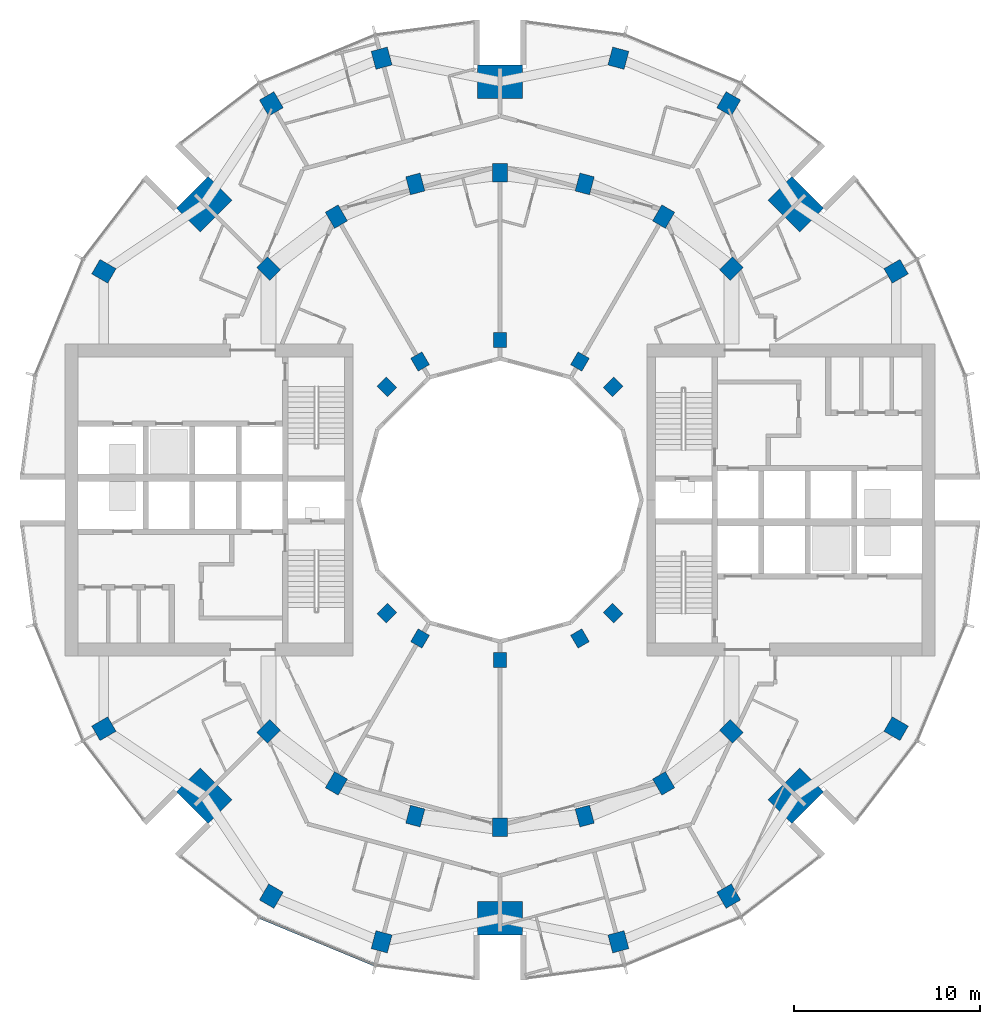
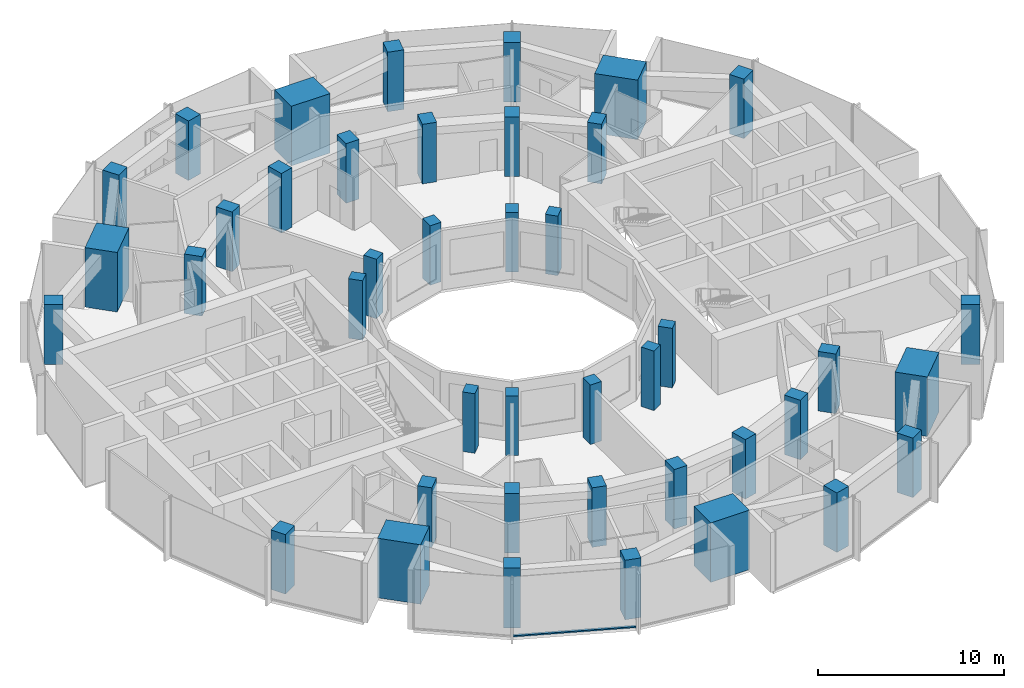
# One storey, part 1 of 15: 42 columns, 1 member, 1 element without a shape of its own.
"""IFC4 building model written with IfcOpenShell, lengths in metres."""

from ifc_helpers import new_model, si_unit, direction, frame, origin, origin_2d, place, context, subcontext, project, spatial, rectangle, extrude, material, layer, layer_set, material_profile, profile_set, type_object, element, aggregate, save


model = new_model("IFC4")

# Units and contexts
model_context = context("Model", 3, precision=1e-05, world=origin(), true_north=direction((0.0, 1.0)))
body_context = subcontext(model_context, "Body", "Model", "MODEL_VIEW")
ifc_project = project(units=[si_unit("LENGTHUNIT", "METRE"), si_unit("AREAUNIT", "SQUARE_METRE"), si_unit("VOLUMEUNIT", "CUBIC_METRE"), si_unit("PLANEANGLEUNIT", "RADIAN"), si_unit("MASSUNIT", "GRAM", prefix="KILO")], contexts=[model_context])

# Site, building, storey
site_placement = place(None, origin())
site = spatial("IfcSite", under=ifc_project, at=site_placement, CompositionType="ELEMENT")
building_placement = place(site_placement, origin())
building = spatial("IfcBuilding", under=site, at=building_placement, Name="Torre Brocal", CompositionType="ELEMENT")
storey_placement = place(building_placement, frame((0.0, 0.0, 126.300048828125)))
storey = spatial("IfcBuildingStorey", under=building, at=storey_placement, Name="L29", CompositionType="ELEMENT", Elevation=126.300048828125)

# Columns
ifc_material_1 = material(Name="Concrete C70", Category="concrete")
ifc_material_profile_1 = material_profile(ifc_material_1, rectangle(XDim=1.0, YDim=0.800048828125, at=origin_2d()), Name="RC 1000X800")
ifc_profile_set_1 = profile_set([ifc_material_profile_1], Name="Concrete C70")
column_type_1 = type_object("IfcColumnType", Name="RC COLUMN 1000X800 C70", PredefinedType="COLUMN", material=ifc_profile_set_1)
for number, where, z_axis, x_axis, name in (
    (1, (92.445068359375, 87.445068359375, 0.0), (0.0, 0.0, 1.0), (0.707106781187, 0.707106781187, 0.0), "Column C-M03"),
    (2, (88.800048828125, 90.241943359375, 0.0), (0.0, 0.0, 1.0), (0.5, 0.866025403784, 0.0), "Column C-M04"),
    (3, (84.55517578125, 92.000244140625, 0.0), (0.0, 0.0, 1.0), (0.258819045103, 0.965925826289, 0.0), "Column C-M05"),
    (4, (80.0, 92.60009765625, 0.0), (0.0, 0.0, 1.0), (0.0, 1.0, 0.0), "Column C-M06"),
    (5, (75.44482421875, 92.000244140625, 0.0), (0.0, 0.0, 1.0), (-0.258819045103, 0.965925826289, 0.0), "Column C-M07"),
    (6, (71.199951171875, 90.241943359375, 0.0), (0.0, 0.0, 1.0), (-0.5, 0.866025403784, 0.0), "Column C-M08"),
    (7, (67.554931640625, 87.445068359375, 0.0), (0.0, 0.0, 1.0), (-0.707106781187, 0.707106781187, 0.0), "Column C-M09"),
    (8, (67.554931640625, 62.554931640625, 0.0), (0.0, 0.0, 1.0), (-0.707106781187, -0.707106781187, 0.0), "Column C-M15"),
    (9, (71.199951171875, 59.758056640625, 0.0), (0.0, 0.0, 1.0), (-0.5, -0.866025403784, 0.0), "Column C-M16"),
    (10, (75.44482421875, 57.999755859375, 0.0), (0.0, 0.0, 1.0), (-0.258819045103, -0.965925826289, 0.0), "Column C-M17"),
    (11, (80.0, 57.39990234375, 0.0), (0.0, 0.0, 1.0), (0.0, -1.0, 0.0), "Column C-M18"),
    (12, (84.55517578125, 57.999755859375, 0.0), (0.0, 0.0, 1.0), (0.258819045103, -0.965925826289, 0.0), "Column C-M19"),
    (13, (88.800048828125, 59.758056640625, 0.0), (0.0, 0.0, 1.0), (0.5, -0.866025403784, 0.0), "Column C-M20"),
    (14, (92.445068359375, 62.554931640625, 0.0), (0.0, 0.0, 1.0), (0.707106781187, -0.707106781187, 0.0), "Column C-M21"),
):
    element("IfcColumn", number, at=place(storey_placement, frame(where, z_axis=z_axis, x_axis=x_axis)), inside=storey, type_object=column_type_1, Name=name, PredefinedType="COLUMN", context=body_context, shape_type="SweptSolid", body=[
        extrude(rectangle(XDim=1.0, YDim=0.800048828125, at=origin_2d()), origin(), (0.0, 0.0, 1.0), 3.89990234375),
    ])
ifc_material_2 = material(Name="Concrete C70", Category="concrete")
ifc_material_profile_2 = material_profile(ifc_material_2, rectangle(XDim=1.0, YDim=0.89990234375, at=origin_2d()), Name="RC 1000X900")
ifc_profile_set_2 = profile_set([ifc_material_profile_2], Name="Concrete C70")
column_type_2 = type_object("IfcColumnType", Name="RC COLUMN 1000X900 C70", PredefinedType="COLUMN", material=ifc_profile_set_2)
for number, where, z_axis, x_axis, name in (
    (15, (101.30419921875, 87.300048828125, 0.0), (0.0, 0.0, 1.0), (0.866025403784, 0.5, 0.0), "Column C-O02"),
    (16, (92.300048828125, 96.30419921875, 0.0), (0.0, 0.0, 1.0), (0.5, 0.866025403784, 0.0), "Column C-O04"),
    (17, (86.366943359375, 98.76171875, 0.0), (0.0, 0.0, 1.0), (0.258819045103, 0.965925826289, 0.0), "Column C-O05"),
    (18, (73.633056640625, 98.76171875, 0.0), (0.0, 0.0, 1.0), (-0.258819045103, 0.965925826289, 0.0), "Column C-O07"),
    (19, (67.699951171875, 96.30419921875, 0.0), (0.0, 0.0, 1.0), (-0.5, 0.866025403784, 0.0), "Column C-O08"),
    (20, (58.69580078125, 87.300048828125, 0.0), (0.0, 0.0, 1.0), (-0.866025403784, 0.5, 0.0), "Column C-O10"),
    (21, (58.69580078125, 62.699951171875, 0.0), (0.0, 0.0, 1.0), (-0.866025403784, -0.5, 0.0), "Column C-O14"),
    (22, (67.699951171875, 53.69580078125, 0.0), (0.0, 0.0, 1.0), (-0.5, -0.866025403784, 0.0), "Column C-O16"),
    (23, (73.633056640625, 51.23828125, 0.0), (0.0, 0.0, 1.0), (-0.258819045103, -0.965925826289, 0.0), "Column C-O17"),
    (24, (86.366943359375, 51.23828125, 0.0), (0.0, 0.0, 1.0), (0.258819045103, -0.965925826289, 0.0), "Column C-O19"),
    (25, (92.300048828125, 53.69580078125, 0.0), (0.0, 0.0, 1.0), (0.5, -0.866025403784, 0.0), "Column C-O20"),
    (26, (101.30419921875, 62.699951171875, 0.0), (0.0, 0.0, 1.0), (0.866025403784, -0.5, 0.0), "Column C-O22"),
):
    element("IfcColumn", number, at=place(storey_placement, frame(where, z_axis=z_axis, x_axis=x_axis)), inside=storey, type_object=column_type_2, Name=name, PredefinedType="COLUMN", context=body_context, shape_type="SweptSolid", body=[
        extrude(rectangle(XDim=1.0, YDim=0.89990234375, at=origin_2d()), origin(), (0.0, 0.0, 1.0), 3.89990234375),
    ])
ifc_material_3 = material(Name="Concrete C70", Category="concrete")
ifc_material_profile_3 = material_profile(ifc_material_3, rectangle(XDim=1.800048828125, YDim=2.39990234375, at=origin_2d()), Name="RC 1800X2400")
ifc_profile_set_3 = profile_set([ifc_material_profile_3], Name="Concrete C70")
column_type_3 = type_object("IfcColumnType", Name="RC COLUMN 1800X2400 C70", PredefinedType="COLUMN", material=ifc_profile_set_3)
for number, where, z_axis, x_axis, name in (
    (27, (95.909912109375, 90.909912109375, 0.0), (0.0, 0.0, 1.0), (0.707106781187, 0.707106781187, 0.0), "Column MC-1"),
    (28, (80.0, 97.5, 0.0), (0.0, 0.0, 1.0), (0.0, 1.0, 0.0), "Column MC-2"),
    (29, (64.090087890625, 90.909912109375, 0.0), (0.0, 0.0, 1.0), (-0.707106781187, 0.707106781187, 0.0), "Column MC-3"),
    (30, (64.090087890625, 59.090087890625, 0.0), (0.0, 0.0, 1.0), (-0.707106781187, -0.707106781187, 0.0), "Column MC-5"),
    (31, (80.0, 52.5, 0.0), (0.0, 0.0, 1.0), (0.0, -1.0, 0.0), "Column MC-6"),
    (32, (95.909912109375, 59.090087890625, 0.0), (0.0, 0.0, 1.0), (0.707106781187, -0.707106781187, 0.0), "Column MC-7"),
):
    element("IfcColumn", number, at=place(storey_placement, frame(where, z_axis=z_axis, x_axis=x_axis)), inside=storey, type_object=column_type_3, Name=name, PredefinedType="COLUMN", context=body_context, shape_type="SweptSolid", body=[
        extrude(rectangle(XDim=1.800048828125, YDim=2.39990234375, at=origin_2d()), origin(), (0.0, 0.0, 1.0), 3.89990234375),
    ])
ifc_material_4 = material(Name="Concrete C70", Category="concrete")
ifc_material_profile_4 = material_profile(ifc_material_4, rectangle(XDim=0.800048828125, YDim=0.699951171875, at=origin_2d()), Name="RC 800X700")
ifc_profile_set_4 = profile_set([ifc_material_profile_4], Name="Concrete C70")
column_type_4 = type_object("IfcColumnType", Name="RC COLUMN 800X700 C70", PredefinedType="COLUMN", material=ifc_profile_set_4)
for number, where, z_axis, x_axis, name in (
    (33, (86.0810546875, 81.0810546875, 0.0), (0.0, 0.0, 1.0), (0.707106781187, 0.707106781187, 0.0), "Column C-I03"),
    (34, (84.300048828125, 82.44775390625, 0.0), (0.0, 0.0, 1.0), (0.5, 0.866025403784, 0.0), "Column C-I04"),
    (35, (80.0, 83.60009765625, 0.0), (0.0, 0.0, 1.0), (0.0, 1.0, 0.0), "Column C-I06"),
    (36, (75.699951171875, 82.44775390625, 0.0), (0.0, 0.0, 1.0), (-0.5, 0.866025403784, 0.0), "Column C-I08"),
    (37, (73.9189453125, 81.0810546875, 0.0), (0.0, 0.0, 1.0), (-0.707106781187, 0.707106781187, 0.0), "Column C-I09"),
    (38, (73.9189453125, 68.9189453125, 0.0), (0.0, 0.0, 1.0), (-0.707106781187, -0.707106781187, 0.0), "Column C-I15"),
    (39, (75.699951171875, 67.55224609375, 0.0), (0.0, 0.0, 1.0), (-0.5, -0.866025403784, 0.0), "Column C-I16"),
    (40, (80.0, 66.39990234375, 0.0), (0.0, 0.0, 1.0), (0.0, -1.0, 0.0), "Column C-I18"),
    (41, (84.300048828125, 67.55224609375, 0.0), (0.0, 0.0, 1.0), (0.5, -0.866025403784, 0.0), "Column C-I20"),
    (42, (86.0810546875, 68.9189453125, 0.0), (0.0, 0.0, 1.0), (0.707106781187, -0.707106781187, 0.0), "Column C-I21"),
):
    element("IfcColumn", number, at=place(storey_placement, frame(where, z_axis=z_axis, x_axis=x_axis)), inside=storey, type_object=column_type_4, Name=name, PredefinedType="COLUMN", context=body_context, shape_type="SweptSolid", body=[
        extrude(rectangle(XDim=0.800048828125, YDim=0.699951171875, at=origin_2d()), origin(), (0.0, 0.0, 1.0), 3.89990234375),
    ])

# Curtain wall, member
ifc_material_5 = material(Name="Aluminium and glass", Category="aluminium")
ifc_layer = layer(ifc_material_5, 0.199951171875)
ifc_layer_set = layer_set([ifc_layer], Name="Aluminium and glass")
curtain_wall_type = type_object("IfcCurtainWallType", Name="CW-1 CURTAIN WALL 3900 HIGH", PredefinedType="NOTDEFINED", material=ifc_layer_set)
curtain_wall_placement = place(storey_placement, origin())
curtain_wall = element("IfcCurtainWall", 43, at=curtain_wall_placement, inside=storey, type_object=curtain_wall_type, Name="CW-1 RUN 17", PredefinedType="NOTDEFINED")
ifc_material_6 = material(Name="Aluminium, dark anodised", Category="aluminium")
ifc_material_profile_5 = material_profile(ifc_material_6, rectangle(XDim=0.159912109375, YDim=0.080078125, at=origin_2d()), Name="CW-1 TRANSOM 160X80")
ifc_profile_set_5 = profile_set([ifc_material_profile_5], Name="Aluminium, dark anodised")
member_type = type_object("IfcMemberType", Name="CW-1 TRANSOM 160X80", PredefinedType="USERDEFINED", material=ifc_profile_set_5)
member_placement = place(storey_placement, frame((67.10595703125, 52.547607421875, 0.0400390625), z_axis=(0.923887344364, -0.38266457234, 0.0), x_axis=(0.38266457234, 0.923887344364, 0.0)))
member = element("IfcMember", 44, at=member_placement, type_object=member_type, Name="CW1-3 transom 1.1", ObjectType="TRANSOM", PredefinedType="USERDEFINED", context=body_context, shape_type="SweptSolid", body=[
    extrude(rectangle(XDim=0.159912109375, YDim=0.080078125, at=origin_2d()), origin(), (0.0, 0.0, 1.0), 6.640869140625),
])
aggregate(curtain_wall, [member])

save(model, "model.ifc")
